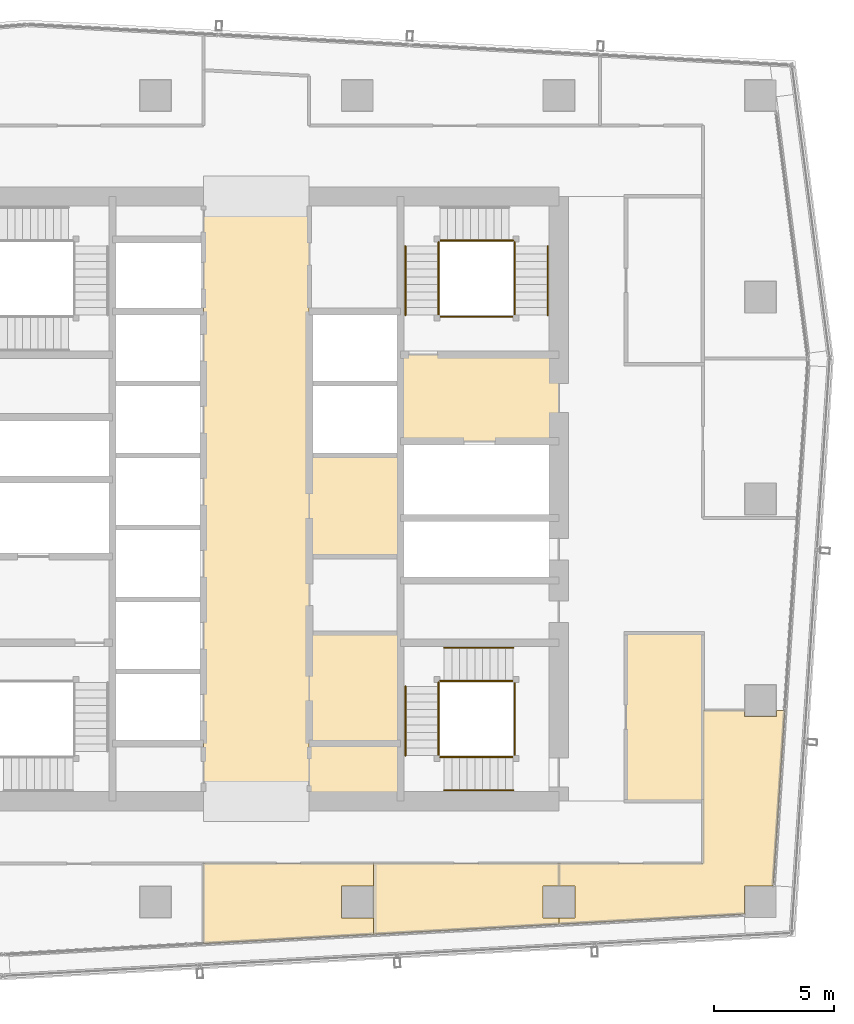
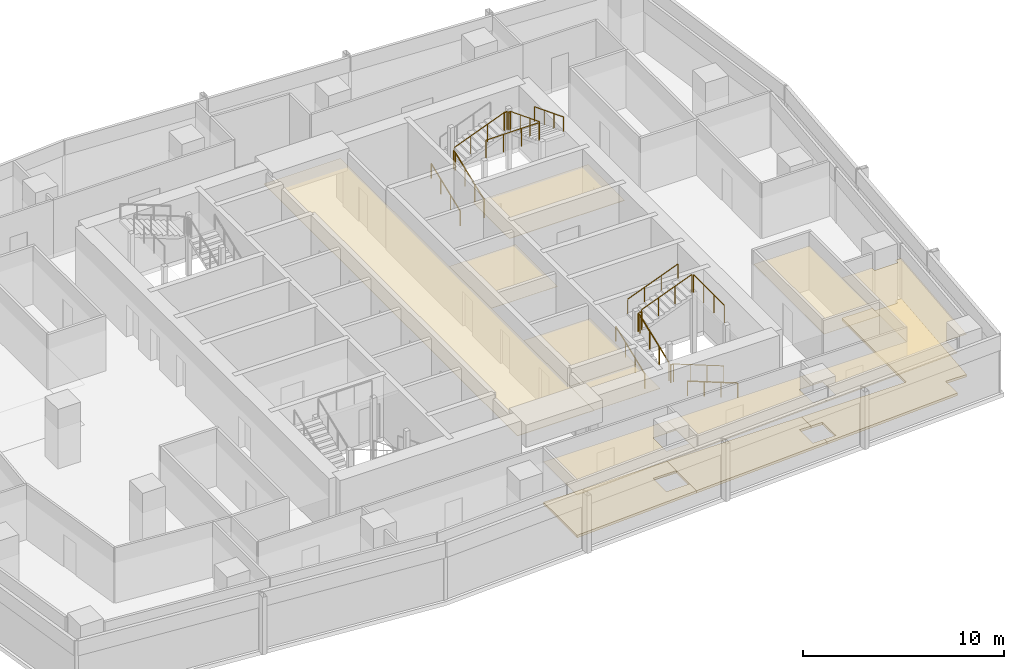
# One storey, part 28 of 29: 19 railings, 12 coverings.
"""IFC4 building model written with IfcOpenShell, lengths in metres."""

from ifc_helpers import new_model, si_unit, direction, frame, origin, origin_2d, place, context, subcontext, project, spatial, polyline, circle, outline, extrude, material, layer, layer_set, type_object, element, save


model = new_model("IFC4")

# Units and contexts
model_context = context("Model", 3, precision=1e-05, world=origin(), true_north=direction((0.0, 1.0)))
body_context = subcontext(model_context, "Body", "Model", "MODEL_VIEW")
ifc_project = project(units=[si_unit("LENGTHUNIT", "METRE"), si_unit("AREAUNIT", "SQUARE_METRE"), si_unit("VOLUMEUNIT", "CUBIC_METRE"), si_unit("PLANEANGLEUNIT", "RADIAN"), si_unit("MASSUNIT", "GRAM", prefix="KILO")], contexts=[model_context])

# Site, building, storey
site_placement = place(None, origin())
site = spatial("IfcSite", under=ifc_project, at=site_placement, CompositionType="ELEMENT")
building_placement = place(site_placement, origin())
building = spatial("IfcBuilding", under=site, at=building_placement, Name="Rekha Terrace Tower", CompositionType="ELEMENT")
storey_placement = place(building_placement, frame((0.0, 0.0, 276.35009765625)))
storey = spatial("IfcBuildingStorey", under=building, at=storey_placement, Name="L70", CompositionType="ELEMENT", Elevation=276.35009765625)

# Coverings
ifc_material_1 = material(Name="Mineral fibre tile in exposed grid", Category="finish")
ifc_layer_1 = layer(ifc_material_1, 0.02001953125)
ifc_layer_set_1 = layer_set([ifc_layer_1], Name="Mineral fibre tile in exposed grid")
covering_type_1 = type_object("IfcCoveringType", Name="CL1 600x1200 office grid ceiling", PredefinedType="CEILING", material=ifc_layer_set_1)
covering_1_placement = place(storey_placement, frame((0.0, 0.0, 2.579833984375)))
element("IfcCovering", 1, at=covering_1_placement, inside=storey, type_object=covering_type_1, Name="Ceiling L70-09", PredefinedType="CEILING", context=body_context, shape_type="SweptSolid", body=[
    extrude(outline(polyline([(35.59912109375, 18.39990234375), (35.59912109375, 15.069091796875), (42.673095703125, 15.4541015625), (42.673095703125, 16.135009765625), (41.3349609375, 16.135009765625), (41.3349609375, 17.465087890625), (42.673095703125, 17.465087890625), (42.673095703125, 18.39990234375), (35.59912109375, 18.39990234375)])), origin(), (0.0, 0.0, 1.0), 0.02001953125),
])
covering_2_placement = place(storey_placement, frame((0.0, 0.0, 2.579833984375)))
element("IfcCovering", 2, at=covering_2_placement, inside=storey, type_object=covering_type_1, Name="Ceiling L70-10", PredefinedType="CEILING", context=body_context, shape_type="SweptSolid", body=[
    extrude(outline(polyline([(42.674072265625, 18.39990234375), (42.674072265625, 15.4541015625), (50.39990234375, 15.875), (50.39990234375, 16.135009765625), (49.735107421875, 16.135009765625), (49.735107421875, 17.465087890625), (50.39990234375, 17.465087890625), (50.39990234375, 18.39990234375), (42.674072265625, 18.39990234375)])), origin(), (0.0, 0.0, 1.0), 0.02001953125),
])
covering_3_placement = place(storey_placement, frame((0.0, 0.0, 2.579833984375)))
element("IfcCovering", 3, at=covering_3_placement, inside=storey, type_object=covering_type_1, Name="Ceiling L70-11", PredefinedType="CEILING", context=body_context, shape_type="SweptSolid", body=[
    extrude(outline(polyline([(58.135009765625, 24.534912109375), (58.135009765625, 24.785888671875), (56.39990234375, 24.785888671875), (56.39990234375, 18.39990234375), (50.40087890625, 18.39990234375), (50.40087890625, 17.465087890625), (51.06494140625, 17.465087890625), (51.06494140625, 16.135009765625), (50.40087890625, 16.135009765625), (50.40087890625, 15.875), (58.135009765625, 16.2958984375), (58.135009765625, 17.465087890625), (59.327880859375, 17.465087890625), (59.81396484375, 24.785888671875), (59.465087890625, 24.785888671875), (59.465087890625, 24.534912109375), (58.135009765625, 24.534912109375)])), origin(), (0.0, 0.0, 1.0), 0.02001953125),
])
ifc_material_2 = material(Name="Fibre cement board", Category="finish")
ifc_layer_2 = layer(ifc_material_2, 0.014892578125)
ifc_layer_set_2 = layer_set([ifc_layer_2], Name="Fibre cement board")
covering_type_2 = type_object("IfcCoveringType", Name="CL2 moisture-resistant board ceiling", PredefinedType="CEILING", material=ifc_layer_set_2)
covering_4_placement = place(storey_placement, frame((0.0, 0.0, 2.5849609375)))
element("IfcCovering", 4, at=covering_4_placement, inside=storey, type_object=covering_type_2, Name="Ceiling L70-WCA", PredefinedType="CEILING", context=body_context, shape_type="SweptSolid", body=[
    extrude(outline(polyline([(43.800048828125, 23.39990234375), (40.0, 23.39990234375), (40.0, 21.0), (43.800048828125, 21.0), (43.800048828125, 23.39990234375)])), origin(), (0.0, 0.0, 1.0), 0.014892578125),
])
covering_5_placement = place(storey_placement, frame((0.0, 0.0, 2.5849609375)))
element("IfcCovering", 5, at=covering_5_placement, inside=storey, type_object=covering_type_2, Name="Ceiling L70-FSE1", PredefinedType="CEILING", context=body_context, shape_type="SweptSolid", body=[
    extrude(outline(polyline([(43.800048828125, 28.0), (40.0, 28.0), (40.0, 23.39990234375), (43.800048828125, 23.39990234375), (43.800048828125, 28.0)])), origin(), (0.0, 0.0, 1.0), 0.014892578125),
])
covering_6_placement = place(storey_placement, frame((0.0, 0.0, 2.5849609375)))
element("IfcCovering", 6, at=covering_6_placement, inside=storey, type_object=covering_type_2, Name="Ceiling L70-FSE3", PredefinedType="CEILING", context=body_context, shape_type="SweptSolid", body=[
    extrude(outline(polyline([(43.800048828125, 35.39990234375), (40.0, 35.39990234375), (40.0, 31.199951171875), (43.800048828125, 31.199951171875), (43.800048828125, 35.39990234375)])), origin(), (0.0, 0.0, 1.0), 0.014892578125),
])
covering_7_placement = place(storey_placement, frame((0.0, 0.0, 2.5849609375)))
element("IfcCovering", 7, at=covering_7_placement, inside=storey, type_object=covering_type_2, Name="Ceiling L70-WCM2", PredefinedType="CEILING", context=body_context, shape_type="SweptSolid", body=[
    extrude(outline(polyline([(56.39990234375, 28.0), (53.199951171875, 28.0), (53.199951171875, 21.0), (56.39990234375, 21.0), (56.39990234375, 28.0)])), origin(), (0.0, 0.0, 1.0), 0.014892578125),
])
ifc_material_3 = material(Name="Powder-coated aluminium pan", Category="aluminium")
ifc_layer_3 = layer(ifc_material_3, 0.030029296875)
ifc_layer_set_3 = layer_set([ifc_layer_3], Name="Powder-coated aluminium pan")
covering_type_3 = type_object("IfcCoveringType", Name="CL3 300x1200 metal pan ceiling", PredefinedType="CEILING", material=ifc_layer_set_3)
covering_8_placement = place(storey_placement, frame((0.0, 0.0, 2.56982421875)))
element("IfcCovering", 8, at=covering_8_placement, inside=storey, type_object=covering_type_3, Name="Ceiling L70-LOBBY", PredefinedType="CEILING", context=body_context, shape_type="SweptSolid", body=[
    extrude(outline(polyline([(40.0, 46.199951171875), (35.60009765625, 46.199951171875), (35.60009765625, 21.0), (40.0, 21.0), (40.0, 46.199951171875)])), origin(), (0.0, 0.0, 1.0), 0.030029296875),
])
covering_9_placement = place(storey_placement, frame((0.0, 0.0, 2.56982421875)))
element("IfcCovering", 9, at=covering_9_placement, inside=storey, type_object=covering_type_3, Name="Ceiling L70-FLB2", PredefinedType="CEILING", context=body_context, shape_type="SweptSolid", body=[
    extrude(outline(polyline([(50.39990234375, 39.60009765625), (43.800048828125, 39.60009765625), (43.800048828125, 36.0), (50.39990234375, 36.0), (50.39990234375, 39.60009765625)])), origin(), (0.0, 0.0, 1.0), 0.030029296875),
])

# Railings
ifc_material_4 = material(Name="Stainless steel balustrade", Category="steel")
railing_type_1 = type_object("IfcRailingType", Name="GR1 1100 stair guard", PredefinedType="GUARDRAIL", material=ifc_material_4)
railing_1_placement = place(storey_placement, frame((45.389892578125, 41.25, 0.125)))
element("IfcRailing", 10, at=railing_1_placement, inside=storey, type_object=railing_type_1, Name="Guard ST2 L70 flight 1", PredefinedType="GUARDRAIL", context=body_context, shape_type="SweptSolid", body=[
    extrude(circle(Radius=0.02392578125, at=origin_2d()), frame((0.0, 0.0, 1.076171875), z_axis=(0.0, 0.931452331594, 0.363863372667), x_axis=(-1.0, 0.0, 0.0)), (0.0, 0.0, 1.0), 3.091796875),
    extrude(circle(Radius=0.02099609375, at=origin_2d()), origin(), (0.0, 0.0, 1.0), 1.052001953125),
    extrude(circle(Radius=0.02099609375, at=origin_2d()), frame((0.0, 0.9599609375, 0.375)), (0.0, 0.0, 1.0), 1.052001953125),
    extrude(circle(Radius=0.02099609375, at=origin_2d()), frame((0.0, 1.919921875, 0.75)), (0.0, 0.0, 1.0), 1.052001953125),
    extrude(circle(Radius=0.02099609375, at=origin_2d()), frame((0.0, 2.8798828125, 1.125)), (0.0, 0.0, 1.0), 1.052001953125),
])
railing_2_placement = place(storey_placement, frame((45.449951171875, 44.360107421875, 1.375)))
element("IfcRailing", 11, at=railing_2_placement, inside=storey, type_object=railing_type_1, Name="Guard ST2 L70 flight 2", PredefinedType="GUARDRAIL", context=body_context, shape_type="SweptSolid", body=[
    extrude(circle(Radius=0.02392578125, at=origin_2d()), frame((0.0, 0.0, 1.076171875), z_axis=(0.931462784923, 0.0, 0.363836612098), x_axis=(0.0, 1.0, 0.0)), (0.0, 0.0, 1.0), 3.092041015625),
    extrude(circle(Radius=0.02099609375, at=origin_2d()), origin(), (0.0, 0.0, 1.0), 1.052001953125),
    extrude(circle(Radius=0.02099609375, at=origin_2d()), frame((0.9599609375, 0.0, 0.375)), (0.0, 0.0, 1.0), 1.052001953125),
    extrude(circle(Radius=0.02099609375, at=origin_2d()), frame((1.920166015625, 0.0, 0.75)), (0.0, 0.0, 1.0), 1.052001953125),
    extrude(circle(Radius=0.02099609375, at=origin_2d()), frame((2.880126953125, 0.0, 1.125)), (0.0, 0.0, 1.0), 1.052001953125),
])
railing_3_placement = place(storey_placement, frame((48.56005859375, 44.1298828125, 2.625)))
element("IfcRailing", 12, at=railing_3_placement, inside=storey, type_object=railing_type_1, Name="Guard ST2 L70 flight 3", PredefinedType="GUARDRAIL", context=body_context, shape_type="SweptSolid", body=[
    extrude(circle(Radius=0.02392578125, at=origin_2d()), frame((0.0, 0.0, 1.076171875), z_axis=(0.0, -0.931452331594, 0.363863372667), x_axis=(1.0, 0.0, 0.0)), (0.0, 0.0, 1.0), 3.091796875),
    extrude(circle(Radius=0.02099609375, at=origin_2d()), origin(), (0.0, 0.0, 1.0), 1.052001953125),
    extrude(circle(Radius=0.02099609375, at=origin_2d()), frame((0.0, -0.9599609375, 0.375)), (0.0, 0.0, 1.0), 1.052001953125),
    extrude(circle(Radius=0.02099609375, at=origin_2d()), frame((0.0, -1.919921875, 0.75)), (0.0, 0.0, 1.0), 1.052001953125),
    extrude(circle(Radius=0.02099609375, at=origin_2d()), frame((0.0, -2.8798828125, 1.125)), (0.0, 0.0, 1.0), 1.052001953125),
])
railing_4_placement = place(storey_placement, frame((45.389892578125, 44.1298828125, 1.25)))
element("IfcRailing", 13, at=railing_4_placement, inside=storey, type_object=railing_type_1, Name="Guard ST2 L70 landing 1", PredefinedType="GUARDRAIL", context=body_context, shape_type="SweptSolid", body=[
    extrude(circle(Radius=0.02392578125, at=origin_2d()), frame((0.0, 0.0, 1.076171875), z_axis=(0.0, 1.0, 0.0), x_axis=(-1.0, 0.0, 0.0)), (0.0, 0.0, 1.0), 0.170166015625),
    extrude(circle(Radius=0.02099609375, at=origin_2d()), origin(), (0.0, 0.0, 1.0), 1.052001953125),
    extrude(circle(Radius=0.02099609375, at=origin_2d()), frame((0.0, 0.170166015625, 0.0)), (0.0, 0.0, 1.0), 1.052001953125),
])
railing_5_placement = place(storey_placement, frame((48.330078125, 44.360107421875, 2.5)))
element("IfcRailing", 14, at=railing_5_placement, inside=storey, type_object=railing_type_1, Name="Guard ST2 L70 landing 2", PredefinedType="GUARDRAIL", context=body_context, shape_type="SweptSolid", body=[
    extrude(circle(Radius=0.02392578125, at=origin_2d()), frame((0.0, 0.0, 1.076171875), z_axis=(1.0, 0.0, 0.0), x_axis=(0.0, 1.0, 0.0)), (0.0, 0.0, 1.0), 0.169921875),
    extrude(circle(Radius=0.02099609375, at=origin_2d()), origin(), (0.0, 0.0, 1.0), 1.052001953125),
    extrude(circle(Radius=0.02099609375, at=origin_2d()), frame((0.169921875, 0.0, 0.0)), (0.0, 0.0, 1.0), 1.052001953125),
])
railing_6_placement = place(storey_placement, frame((48.56005859375, 44.1298828125, 2.5)))
element("IfcRailing", 15, at=railing_6_placement, inside=storey, type_object=railing_type_1, Name="Guard ST2 L70 landing 3", PredefinedType="GUARDRAIL", context=body_context, shape_type="SweptSolid", body=[
    extrude(circle(Radius=0.02392578125, at=origin_2d()), frame((0.0, 0.0, 1.076171875), z_axis=(0.0, 1.0, 0.0), x_axis=(-1.0, 0.0, 0.0)), (0.0, 0.0, 1.0), 0.170166015625),
    extrude(circle(Radius=0.02099609375, at=origin_2d()), origin(), (0.0, 0.0, 1.0), 1.052001953125),
    extrude(circle(Radius=0.02099609375, at=origin_2d()), frame((0.0, 0.170166015625, 0.0)), (0.0, 0.0, 1.0), 1.052001953125),
])
railing_7_placement = place(storey_placement, frame((45.449951171875, 41.18994140625, 3.75)))
element("IfcRailing", 16, at=railing_7_placement, inside=storey, type_object=railing_type_1, Name="Guard ST2 L70 landing 4", PredefinedType="GUARDRAIL", context=body_context, shape_type="SweptSolid", body=[
    extrude(circle(Radius=0.02392578125, at=origin_2d()), frame((0.0, 0.0, 1.076171875), z_axis=(1.0, 0.0, 0.0), x_axis=(0.0, 1.0, 0.0)), (0.0, 0.0, 1.0), 3.050048828125),
    extrude(circle(Radius=0.02099609375, at=origin_2d()), origin(), (0.0, 0.0, 1.0), 1.052001953125),
    extrude(circle(Radius=0.02099609375, at=origin_2d()), frame((1.0166015625, 0.0, 0.0)), (0.0, 0.0, 1.0), 1.052001953125),
    extrude(circle(Radius=0.02099609375, at=origin_2d()), frame((2.033447265625, 0.0, 0.0)), (0.0, 0.0, 1.0), 1.052001953125),
    extrude(circle(Radius=0.02099609375, at=origin_2d()), frame((3.050048828125, 0.0, 0.0)), (0.0, 0.0, 1.0), 1.052001953125),
])
railing_8_placement = place(storey_placement, frame((48.5, 22.840087890625, 0.125)))
element("IfcRailing", 17, at=railing_8_placement, inside=storey, type_object=railing_type_1, Name="Guard ST3 L70 flight 1", PredefinedType="GUARDRAIL", context=body_context, shape_type="SweptSolid", body=[
    extrude(circle(Radius=0.02392578125, at=origin_2d()), frame((0.0, 0.0, 1.076171875), z_axis=(-0.931452331594, 0.0, 0.363863372667), x_axis=(0.0, -1.0, 0.0)), (0.0, 0.0, 1.0), 3.091796875),
    extrude(circle(Radius=0.02099609375, at=origin_2d()), origin(), (0.0, 0.0, 1.0), 1.052001953125),
    extrude(circle(Radius=0.02099609375, at=origin_2d()), frame((-0.9599609375, 0.0, 0.375)), (0.0, 0.0, 1.0), 1.052001953125),
    extrude(circle(Radius=0.02099609375, at=origin_2d()), frame((-1.919921875, 0.0, 0.75)), (0.0, 0.0, 1.0), 1.052001953125),
    extrude(circle(Radius=0.02099609375, at=origin_2d()), frame((-2.8798828125, 0.0, 1.125)), (0.0, 0.0, 1.0), 1.052001953125),
])
railing_9_placement = place(storey_placement, frame((45.389892578125, 22.89990234375, 1.375)))
element("IfcRailing", 18, at=railing_9_placement, inside=storey, type_object=railing_type_1, Name="Guard ST3 L70 flight 2", PredefinedType="GUARDRAIL", context=body_context, shape_type="SweptSolid", body=[
    extrude(circle(Radius=0.02392578125, at=origin_2d()), frame((0.0, 0.0, 1.076171875), z_axis=(0.0, 0.931462784923, 0.363836612098), x_axis=(-1.0, 0.0, 0.0)), (0.0, 0.0, 1.0), 3.092041015625),
    extrude(circle(Radius=0.02099609375, at=origin_2d()), origin(), (0.0, 0.0, 1.0), 1.052001953125),
    extrude(circle(Radius=0.02099609375, at=origin_2d()), frame((0.0, 0.9599609375, 0.375)), (0.0, 0.0, 1.0), 1.052001953125),
    extrude(circle(Radius=0.02099609375, at=origin_2d()), frame((0.0, 1.920166015625, 0.75)), (0.0, 0.0, 1.0), 1.052001953125),
    extrude(circle(Radius=0.02099609375, at=origin_2d()), frame((0.0, 2.880126953125, 1.125)), (0.0, 0.0, 1.0), 1.052001953125),
])
railing_10_placement = place(storey_placement, frame((45.6201171875, 26.010009765625, 2.625)))
element("IfcRailing", 19, at=railing_10_placement, inside=storey, type_object=railing_type_1, Name="Guard ST3 L70 flight 3", PredefinedType="GUARDRAIL", context=body_context, shape_type="SweptSolid", body=[
    extrude(circle(Radius=0.02392578125, at=origin_2d()), frame((0.0, 0.0, 1.076171875), z_axis=(0.931452331594, 0.0, 0.363863372667), x_axis=(0.0, 1.0, 0.0)), (0.0, 0.0, 1.0), 3.091796875),
    extrude(circle(Radius=0.02099609375, at=origin_2d()), origin(), (0.0, 0.0, 1.0), 1.052001953125),
    extrude(circle(Radius=0.02099609375, at=origin_2d()), frame((0.9599609375, 0.0, 0.375)), (0.0, 0.0, 1.0), 1.052001953125),
    extrude(circle(Radius=0.02099609375, at=origin_2d()), frame((1.919921875, 0.0, 0.75)), (0.0, 0.0, 1.0), 1.052001953125),
    extrude(circle(Radius=0.02099609375, at=origin_2d()), frame((2.8798828125, 0.0, 1.125)), (0.0, 0.0, 1.0), 1.052001953125),
])
railing_11_placement = place(storey_placement, frame((45.6201171875, 22.840087890625, 1.25)))
element("IfcRailing", 20, at=railing_11_placement, inside=storey, type_object=railing_type_1, Name="Guard ST3 L70 landing 1", PredefinedType="GUARDRAIL", context=body_context, shape_type="SweptSolid", body=[
    extrude(circle(Radius=0.02392578125, at=origin_2d()), frame((0.0, 0.0, 1.076171875), z_axis=(-1.0, 0.0, 0.0), x_axis=(0.0, -1.0, 0.0)), (0.0, 0.0, 1.0), 0.170166015625),
    extrude(circle(Radius=0.02099609375, at=origin_2d()), origin(), (0.0, 0.0, 1.0), 1.052001953125),
    extrude(circle(Radius=0.02099609375, at=origin_2d()), frame((-0.170166015625, 0.0, 0.0)), (0.0, 0.0, 1.0), 1.052001953125),
])
railing_12_placement = place(storey_placement, frame((45.389892578125, 25.780029296875, 2.5)))
element("IfcRailing", 21, at=railing_12_placement, inside=storey, type_object=railing_type_1, Name="Guard ST3 L70 landing 2", PredefinedType="GUARDRAIL", context=body_context, shape_type="SweptSolid", body=[
    extrude(circle(Radius=0.02392578125, at=origin_2d()), frame((0.0, 0.0, 1.076171875), z_axis=(0.0, 1.0, 0.0), x_axis=(-1.0, 0.0, 0.0)), (0.0, 0.0, 1.0), 0.169921875),
    extrude(circle(Radius=0.02099609375, at=origin_2d()), origin(), (0.0, 0.0, 1.0), 1.052001953125),
    extrude(circle(Radius=0.02099609375, at=origin_2d()), frame((0.0, 0.169921875, 0.0)), (0.0, 0.0, 1.0), 1.052001953125),
])
railing_13_placement = place(storey_placement, frame((45.6201171875, 26.010009765625, 2.5)))
element("IfcRailing", 22, at=railing_13_placement, inside=storey, type_object=railing_type_1, Name="Guard ST3 L70 landing 3", PredefinedType="GUARDRAIL", context=body_context, shape_type="SweptSolid", body=[
    extrude(circle(Radius=0.02392578125, at=origin_2d()), frame((0.0, 0.0, 1.076171875), z_axis=(-1.0, 0.0, 0.0), x_axis=(0.0, -1.0, 0.0)), (0.0, 0.0, 1.0), 0.170166015625),
    extrude(circle(Radius=0.02099609375, at=origin_2d()), origin(), (0.0, 0.0, 1.0), 1.052001953125),
    extrude(circle(Radius=0.02099609375, at=origin_2d()), frame((-0.170166015625, 0.0, 0.0)), (0.0, 0.0, 1.0), 1.052001953125),
])
railing_14_placement = place(storey_placement, frame((48.56005859375, 22.89990234375, 3.75)))
element("IfcRailing", 23, at=railing_14_placement, inside=storey, type_object=railing_type_1, Name="Guard ST3 L70 landing 4", PredefinedType="GUARDRAIL", context=body_context, shape_type="SweptSolid", body=[
    extrude(circle(Radius=0.02392578125, at=origin_2d()), frame((0.0, 0.0, 1.076171875), z_axis=(0.0, 1.0, 0.0), x_axis=(-1.0, 0.0, 0.0)), (0.0, 0.0, 1.0), 3.050048828125),
    extrude(circle(Radius=0.02099609375, at=origin_2d()), origin(), (0.0, 0.0, 1.0), 1.052001953125),
    extrude(circle(Radius=0.02099609375, at=origin_2d()), frame((0.0, 1.0166015625, 0.0)), (0.0, 0.0, 1.0), 1.052001953125),
    extrude(circle(Radius=0.02099609375, at=origin_2d()), frame((0.0, 2.033447265625, 0.0)), (0.0, 0.0, 1.0), 1.052001953125),
    extrude(circle(Radius=0.02099609375, at=origin_2d()), frame((0.0, 3.050048828125, 0.0)), (0.0, 0.0, 1.0), 1.052001953125),
])
ifc_material_5 = material(Name="Stainless steel tube", Category="steel")
railing_type_2 = type_object("IfcRailingType", Name="HR1 900 stair handrail", PredefinedType="HANDRAIL", material=ifc_material_5)
railing_15_placement = place(storey_placement, frame((44.010009765625, 41.25, 0.125)))
element("IfcRailing", 24, at=railing_15_placement, inside=storey, type_object=railing_type_2, Name="Handrail ST2 L70 flight 1", PredefinedType="HANDRAIL", context=body_context, shape_type="SweptSolid", body=[
    extrude(circle(Radius=0.02392578125, at=origin_2d()), frame((0.0, 0.0, 0.8759765625), z_axis=(0.0, 0.931452331594, 0.363863372667), x_axis=(-1.0, 0.0, 0.0)), (0.0, 0.0, 1.0), 3.091796875),
    extrude(circle(Radius=0.02099609375, at=origin_2d()), origin(), (0.0, 0.0, 1.0), 0.851806640625),
    extrude(circle(Radius=0.02099609375, at=origin_2d()), frame((0.0, 0.9599609375, 0.375)), (0.0, 0.0, 1.0), 0.851806640625),
    extrude(circle(Radius=0.02099609375, at=origin_2d()), frame((0.0, 1.919921875, 0.75)), (0.0, 0.0, 1.0), 0.851806640625),
    extrude(circle(Radius=0.02099609375, at=origin_2d()), frame((0.0, 2.8798828125, 1.125)), (0.0, 0.0, 1.0), 0.851806640625),
])
railing_16_placement = place(storey_placement, frame((49.93994140625, 44.1298828125, 2.625)))
element("IfcRailing", 25, at=railing_16_placement, inside=storey, type_object=railing_type_2, Name="Handrail ST2 L70 flight 3", PredefinedType="HANDRAIL", context=body_context, shape_type="SweptSolid", body=[
    extrude(circle(Radius=0.02392578125, at=origin_2d()), frame((0.0, 0.0, 0.8759765625), z_axis=(0.0, -0.931452331594, 0.363863372667), x_axis=(1.0, 0.0, 0.0)), (0.0, 0.0, 1.0), 3.091796875),
    extrude(circle(Radius=0.02099609375, at=origin_2d()), origin(), (0.0, 0.0, 1.0), 0.851806640625),
    extrude(circle(Radius=0.02099609375, at=origin_2d()), frame((0.0, -0.9599609375, 0.375)), (0.0, 0.0, 1.0), 0.851806640625),
    extrude(circle(Radius=0.02099609375, at=origin_2d()), frame((0.0, -1.919921875, 0.75)), (0.0, 0.0, 1.0), 0.851806640625),
    extrude(circle(Radius=0.02099609375, at=origin_2d()), frame((0.0, -2.8798828125, 1.125)), (0.0, 0.0, 1.0), 0.851806640625),
])
railing_17_placement = place(storey_placement, frame((48.5, 21.4599609375, 0.125)))
element("IfcRailing", 26, at=railing_17_placement, inside=storey, type_object=railing_type_2, Name="Handrail ST3 L70 flight 1", PredefinedType="HANDRAIL", context=body_context, shape_type="SweptSolid", body=[
    extrude(circle(Radius=0.02392578125, at=origin_2d()), frame((0.0, 0.0, 0.8759765625), z_axis=(-0.931452331594, 0.0, 0.363863372667), x_axis=(0.0, -1.0, 0.0)), (0.0, 0.0, 1.0), 3.091796875),
    extrude(circle(Radius=0.02099609375, at=origin_2d()), origin(), (0.0, 0.0, 1.0), 0.851806640625),
    extrude(circle(Radius=0.02099609375, at=origin_2d()), frame((-0.9599609375, 0.0, 0.375)), (0.0, 0.0, 1.0), 0.851806640625),
    extrude(circle(Radius=0.02099609375, at=origin_2d()), frame((-1.919921875, 0.0, 0.75)), (0.0, 0.0, 1.0), 0.851806640625),
    extrude(circle(Radius=0.02099609375, at=origin_2d()), frame((-2.8798828125, 0.0, 1.125)), (0.0, 0.0, 1.0), 0.851806640625),
])
railing_18_placement = place(storey_placement, frame((44.010009765625, 22.89990234375, 1.375)))
element("IfcRailing", 27, at=railing_18_placement, inside=storey, type_object=railing_type_2, Name="Handrail ST3 L70 flight 2", PredefinedType="HANDRAIL", context=body_context, shape_type="SweptSolid", body=[
    extrude(circle(Radius=0.02392578125, at=origin_2d()), frame((0.0, 0.0, 0.8759765625), z_axis=(0.0, 0.931462784923, 0.363836612098), x_axis=(-1.0, 0.0, 0.0)), (0.0, 0.0, 1.0), 3.092041015625),
    extrude(circle(Radius=0.02099609375, at=origin_2d()), origin(), (0.0, 0.0, 1.0), 0.851806640625),
    extrude(circle(Radius=0.02099609375, at=origin_2d()), frame((0.0, 0.9599609375, 0.375)), (0.0, 0.0, 1.0), 0.851806640625),
    extrude(circle(Radius=0.02099609375, at=origin_2d()), frame((0.0, 1.920166015625, 0.75)), (0.0, 0.0, 1.0), 0.851806640625),
    extrude(circle(Radius=0.02099609375, at=origin_2d()), frame((0.0, 2.880126953125, 1.125)), (0.0, 0.0, 1.0), 0.851806640625),
])
railing_19_placement = place(storey_placement, frame((45.6201171875, 27.389892578125, 2.625)))
element("IfcRailing", 28, at=railing_19_placement, inside=storey, type_object=railing_type_2, Name="Handrail ST3 L70 flight 3", PredefinedType="HANDRAIL", context=body_context, shape_type="SweptSolid", body=[
    extrude(circle(Radius=0.02392578125, at=origin_2d()), frame((0.0, 0.0, 0.8759765625), z_axis=(0.931452331594, 0.0, 0.363863372667), x_axis=(0.0, 1.0, 0.0)), (0.0, 0.0, 1.0), 3.091796875),
    extrude(circle(Radius=0.02099609375, at=origin_2d()), origin(), (0.0, 0.0, 1.0), 0.851806640625),
    extrude(circle(Radius=0.02099609375, at=origin_2d()), frame((0.9599609375, 0.0, 0.375)), (0.0, 0.0, 1.0), 0.851806640625),
    extrude(circle(Radius=0.02099609375, at=origin_2d()), frame((1.919921875, 0.0, 0.75)), (0.0, 0.0, 1.0), 0.851806640625),
    extrude(circle(Radius=0.02099609375, at=origin_2d()), frame((2.8798828125, 0.0, 1.125)), (0.0, 0.0, 1.0), 0.851806640625),
])

# Coverings
ifc_material_6 = material(Name="Calcium sulphate panels on steel pedestals", Category="steel")
ifc_layer_4 = layer(ifc_material_6, 0.14990234375)
ifc_layer_set_4 = layer_set([ifc_layer_4], Name="Calcium sulphate panels on steel pedestals")
covering_type_4 = type_object("IfcCoveringType", Name="RF1 150 raised access floor", PredefinedType="FLOORING", material=ifc_layer_set_4)
covering_10_placement = place(storey_placement, origin())
element("IfcCovering", 29, at=covering_10_placement, inside=storey, type_object=covering_type_4, Name="Raised floor L70-09", PredefinedType="FLOORING", context=body_context, shape_type="SweptSolid", body=[
    extrude(outline(polyline([(35.59912109375, 18.39990234375), (35.59912109375, 15.069091796875), (42.673095703125, 15.4541015625), (42.673095703125, 16.135009765625), (41.3349609375, 16.135009765625), (41.3349609375, 17.465087890625), (42.673095703125, 17.465087890625), (42.673095703125, 18.39990234375), (35.59912109375, 18.39990234375)])), origin(), (0.0, 0.0, 1.0), 0.14990234375),
])
covering_11_placement = place(storey_placement, origin())
element("IfcCovering", 30, at=covering_11_placement, inside=storey, type_object=covering_type_4, Name="Raised floor L70-10", PredefinedType="FLOORING", context=body_context, shape_type="SweptSolid", body=[
    extrude(outline(polyline([(42.674072265625, 18.39990234375), (42.674072265625, 15.4541015625), (50.39990234375, 15.875), (50.39990234375, 16.135009765625), (49.735107421875, 16.135009765625), (49.735107421875, 17.465087890625), (50.39990234375, 17.465087890625), (50.39990234375, 18.39990234375), (42.674072265625, 18.39990234375)])), origin(), (0.0, 0.0, 1.0), 0.14990234375),
])
covering_12_placement = place(storey_placement, origin())
element("IfcCovering", 31, at=covering_12_placement, inside=storey, type_object=covering_type_4, Name="Raised floor L70-11", PredefinedType="FLOORING", context=body_context, shape_type="SweptSolid", body=[
    extrude(outline(polyline([(58.135009765625, 24.534912109375), (58.135009765625, 24.785888671875), (56.39990234375, 24.785888671875), (56.39990234375, 18.39990234375), (50.40087890625, 18.39990234375), (50.40087890625, 17.465087890625), (51.06494140625, 17.465087890625), (51.06494140625, 16.135009765625), (50.40087890625, 16.135009765625), (50.40087890625, 15.875), (58.135009765625, 16.2958984375), (58.135009765625, 17.465087890625), (59.327880859375, 17.465087890625), (59.81396484375, 24.785888671875), (59.465087890625, 24.785888671875), (59.465087890625, 24.534912109375), (58.135009765625, 24.534912109375)])), origin(), (0.0, 0.0, 1.0), 0.14990234375),
])

save(model, "model.ifc")
